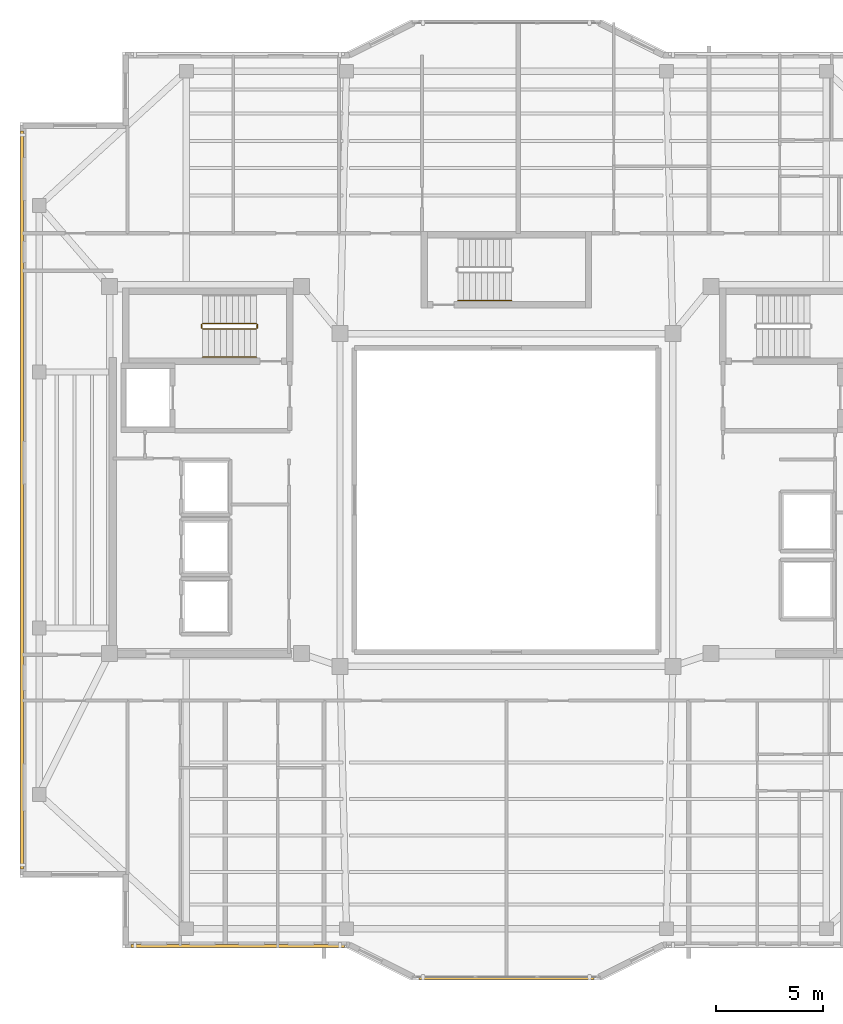
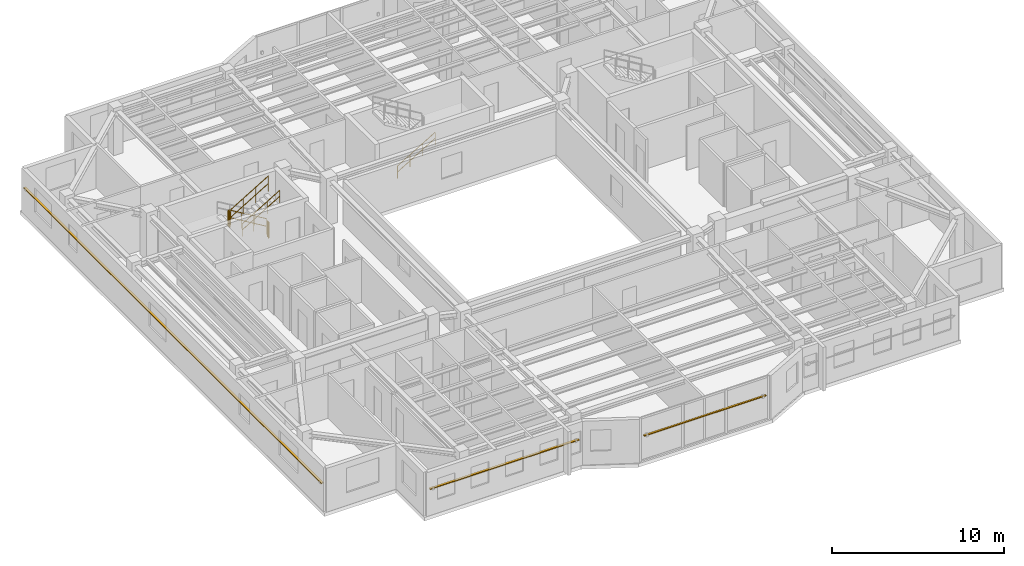
# One storey, part 12 of 14: 6 railings, 3 shading devices.
"""IFC4 building model written with IfcOpenShell, lengths in metres."""

from ifc_helpers import new_model, si_unit, direction, frame, origin, origin_2d, place, context, subcontext, project, spatial, rectangle, circle, extrude, material, material_profile, profile_set, type_object, element, save


model = new_model("IFC4")

# Units and contexts
model_context = context("Model", 3, precision=1e-05, world=origin(), true_north=direction((0.0, 1.0)))
body_context = subcontext(model_context, "Body", "Model", "MODEL_VIEW")
ifc_project = project(units=[si_unit("LENGTHUNIT", "METRE"), si_unit("AREAUNIT", "SQUARE_METRE"), si_unit("VOLUMEUNIT", "CUBIC_METRE"), si_unit("PLANEANGLEUNIT", "RADIAN"), si_unit("MASSUNIT", "GRAM", prefix="KILO")], contexts=[model_context])

# Site, building, storey
site_placement = place(None, origin())
site = spatial("IfcSite", under=ifc_project, at=site_placement, CompositionType="ELEMENT")
building_placement = place(site_placement, origin())
building = spatial("IfcBuilding", under=site, at=building_placement, Name="Tarnavaz Court Tower", CompositionType="ELEMENT")
storey_placement = place(building_placement, frame((0.0, 0.0, 258.25)))
storey = spatial("IfcBuildingStorey", under=building, at=storey_placement, Name="L70", CompositionType="ELEMENT", Elevation=258.25)

# Railings
ifc_material_1 = material(Name="Brushed Stainless Steel", Category="steel")
railing_type_1 = type_object("IfcRailingType", Name="RL-HANDRAIL-900", PredefinedType="HANDRAIL", material=ifc_material_1)
for number, where, name in (
    (1, (-14.239990234375, 6.699951171875, 1.842529296875), "L70 ST-W1 stair handrail 2"),
    (2, (-2.280029296875, 9.35009765625, 0.16748046875), "L70 ST-N1 stair handrail 1"),
):
    element("IfcRailing", number, at=place(storey_placement, frame(where)), inside=storey, type_object=railing_type_1, Name=name, PredefinedType="HANDRAIL", context=body_context, shape_type="SweptSolid", body=[
        extrude(circle(Radius=0.02392578125, at=origin_2d()), frame((0.0, 0.0, 0.8759765625), z_axis=(0.858159760407, 0.0, 0.513382728203), x_axis=(0.0, 1.0, 0.0)), (0.0, 0.0, 1.0), 2.9365234375),
        extrude(circle(Radius=0.02392578125, at=origin_2d()), frame((0.0, 0.0, 0.449951171875), z_axis=(0.858159760407, 0.0, 0.513382728203), x_axis=(0.0, 1.0, 0.0)), (0.0, 0.0, 1.0), 2.9365234375),
        extrude(circle(Radius=0.02099609375, at=origin_2d()), origin(), (0.0, 0.0, 1.0), 0.851806640625),
        extrude(circle(Radius=0.02099609375, at=origin_2d()), frame((0.840087890625, 0.0, 0.50244140625)), (0.0, 0.0, 1.0), 0.851806640625),
        extrude(circle(Radius=0.02099609375, at=origin_2d()), frame((1.679931640625, 0.0, 1.005126953125)), (0.0, 0.0, 1.0), 0.851806640625),
        extrude(circle(Radius=0.02099609375, at=origin_2d()), frame((2.52001953125, 0.0, 1.507568359375)), (0.0, 0.0, 1.0), 0.851806640625),
    ])
ifc_material_2 = material(Name="Galvanized Painted Tubular Steel", Category="steel")
railing_type_2 = type_object("IfcRailingType", Name="RL-STGUARD-1120", PredefinedType="GUARDRAIL", material=ifc_material_2)
railing_1_placement = place(storey_placement, frame((-11.719970703125, 8.27001953125, 0.16748046875)))
element("IfcRailing", 3, at=railing_1_placement, inside=storey, type_object=railing_type_2, Name="L70 ST-W1 stair guard 1", PredefinedType="GUARDRAIL", context=body_context, shape_type="SweptSolid", body=[
    extrude(circle(Radius=0.02392578125, at=origin_2d()), frame((0.0, 0.0, 1.09619140625), z_axis=(-0.858159760407, 0.0, 0.513382728203), x_axis=(0.0, -1.0, 0.0)), (0.0, 0.0, 1.0), 2.9365234375),
    extrude(circle(Radius=0.02392578125, at=origin_2d()), frame((0.0, 0.0, 0.56005859375), z_axis=(-0.858159760407, 0.0, 0.513382728203), x_axis=(0.0, -1.0, 0.0)), (0.0, 0.0, 1.0), 2.9365234375),
    extrude(circle(Radius=0.02099609375, at=origin_2d()), origin(), (0.0, 0.0, 1.0), 1.072021484375),
    extrude(circle(Radius=0.02099609375, at=origin_2d()), frame((-0.840087890625, 0.0, 0.50244140625)), (0.0, 0.0, 1.0), 1.072021484375),
    extrude(circle(Radius=0.02099609375, at=origin_2d()), frame((-1.679931640625, 0.0, 1.005126953125)), (0.0, 0.0, 1.0), 1.072021484375),
    extrude(circle(Radius=0.02099609375, at=origin_2d()), frame((-2.52001953125, 0.0, 1.507568359375)), (0.0, 0.0, 1.0), 1.072021484375),
])
railing_2_placement = place(storey_placement, frame((-14.2900390625, 8.219970703125, 1.675048828125)))
element("IfcRailing", 4, at=railing_2_placement, inside=storey, type_object=railing_type_2, Name="L70 ST-W1 stair guard 2", PredefinedType="GUARDRAIL", context=body_context, shape_type="SweptSolid", body=[
    extrude(circle(Radius=0.02392578125, at=origin_2d()), frame((0.0, 0.0, 1.09619140625), z_axis=(0.0, -1.0, 0.0), x_axis=(1.0, 0.0, 0.0)), (0.0, 0.0, 1.0), 0.14990234375),
    extrude(circle(Radius=0.02392578125, at=origin_2d()), frame((0.0, 0.0, 0.56005859375), z_axis=(0.0, -1.0, 0.0), x_axis=(1.0, 0.0, 0.0)), (0.0, 0.0, 1.0), 0.14990234375),
    extrude(circle(Radius=0.02099609375, at=origin_2d()), origin(), (0.0, 0.0, 1.0), 1.072021484375),
    extrude(circle(Radius=0.02099609375, at=origin_2d()), frame((0.0, -0.14990234375, 0.0)), (0.0, 0.0, 1.0), 1.072021484375),
])
railing_3_placement = place(storey_placement, frame((-14.239990234375, 8.02001953125, 1.842529296875)))
element("IfcRailing", 5, at=railing_3_placement, inside=storey, type_object=railing_type_2, Name="L70 ST-W1 stair guard 3", PredefinedType="GUARDRAIL", context=body_context, shape_type="SweptSolid", body=[
    extrude(circle(Radius=0.02392578125, at=origin_2d()), frame((0.0, 0.0, 1.09619140625), z_axis=(0.858159760407, 0.0, 0.513382728203), x_axis=(0.0, 1.0, 0.0)), (0.0, 0.0, 1.0), 2.9365234375),
    extrude(circle(Radius=0.02392578125, at=origin_2d()), frame((0.0, 0.0, 0.56005859375), z_axis=(0.858159760407, 0.0, 0.513382728203), x_axis=(0.0, 1.0, 0.0)), (0.0, 0.0, 1.0), 2.9365234375),
    extrude(circle(Radius=0.02099609375, at=origin_2d()), origin(), (0.0, 0.0, 1.0), 1.072021484375),
    extrude(circle(Radius=0.02099609375, at=origin_2d()), frame((0.840087890625, 0.0, 0.50244140625)), (0.0, 0.0, 1.0), 1.072021484375),
    extrude(circle(Radius=0.02099609375, at=origin_2d()), frame((1.679931640625, 0.0, 1.005126953125)), (0.0, 0.0, 1.0), 1.072021484375),
    extrude(circle(Radius=0.02099609375, at=origin_2d()), frame((2.52001953125, 0.0, 1.507568359375)), (0.0, 0.0, 1.0), 1.072021484375),
])
railing_4_placement = place(storey_placement, frame((-11.669921875, 8.219970703125, 0.0)))
element("IfcRailing", 6, at=railing_4_placement, inside=storey, type_object=railing_type_2, Name="L70 ST-W1 stair guard 4", PredefinedType="GUARDRAIL", context=body_context, shape_type="SweptSolid", body=[
    extrude(circle(Radius=0.02392578125, at=origin_2d()), frame((0.0, 0.0, 1.09619140625), z_axis=(0.0, -1.0, 0.0), x_axis=(1.0, 0.0, 0.0)), (0.0, 0.0, 1.0), 0.14990234375),
    extrude(circle(Radius=0.02392578125, at=origin_2d()), frame((0.0, 0.0, 0.56005859375), z_axis=(0.0, -1.0, 0.0), x_axis=(1.0, 0.0, 0.0)), (0.0, 0.0, 1.0), 0.14990234375),
    extrude(circle(Radius=0.02099609375, at=origin_2d()), origin(), (0.0, 0.0, 1.0), 1.072021484375),
    extrude(circle(Radius=0.02099609375, at=origin_2d()), frame((0.0, -0.14990234375, 0.0)), (0.0, 0.0, 1.0), 1.072021484375),
])

# Shading devices
ifc_material_3 = material(Name="Kiln-Fired Khorasan Terracotta Ceramic", Category="masonry")
ifc_material_profile_1 = material_profile(ifc_material_3, rectangle(XDim=0.1201171875, YDim=0.06005859375, at=origin_2d()), Name="TC BAGUETTE 120X60")
ifc_profile_set_1 = profile_set([ifc_material_profile_1], Name="Kiln-Fired Khorasan Terracotta Ceramic")
shading_device_type_1 = type_object("IfcShadingDeviceType", Name="SD-BAG-120", PredefinedType="USERDEFINED", material=ifc_profile_set_1)
shading_device_1_placement = place(storey_placement, frame((4.10009765625, -22.409912109375, 1.800048828125), z_axis=(-1.0, 0.0, 0.0), x_axis=(0.0, -1.0, 0.0)))
element("IfcShadingDevice", 7, at=shading_device_1_placement, inside=storey, type_object=shading_device_type_1, Name="L70 Terracotta Baguette Screen PBG17", ObjectType="BAGUETTE", PredefinedType="USERDEFINED", context=body_context, shape_type="SweptSolid", body=[
    extrude(rectangle(XDim=0.1201171875, YDim=0.06005859375, at=origin_2d()), origin(), (0.0, 0.0, 1.0), 8.2001953125),
])
ifc_material_profile_2 = material_profile(ifc_material_3, rectangle(XDim=0.14990234375, YDim=0.06494140625, at=origin_2d()), Name="TC BAGUETTE 150X65")
ifc_profile_set_2 = profile_set([ifc_material_profile_2], Name="Kiln-Fired Khorasan Terracotta Ceramic")
shading_device_type_2 = type_object("IfcShadingDeviceType", Name="SD-BAG-150", PredefinedType="USERDEFINED", material=ifc_profile_set_2)
shading_device_2_placement = place(storey_placement, frame((-22.7099609375, -17.300048828125, 1.85009765625), z_axis=(0.0, 1.0, 0.0), x_axis=(-1.0, 0.0, 0.0)))
element("IfcShadingDevice", 8, at=shading_device_2_placement, inside=storey, type_object=shading_device_type_2, Name="L70 Terracotta Baguette Screen FBG02", ObjectType="BAGUETTE", PredefinedType="USERDEFINED", context=body_context, shape_type="SweptSolid", body=[
    extrude(rectangle(XDim=0.14990234375, YDim=0.06494140625, at=origin_2d()), origin(), (0.0, 0.0, 1.0), 34.60009765625),
])
shading_device_3_placement = place(storey_placement, frame((-7.60009765625, -20.909912109375, 1.85009765625), z_axis=(-1.0, 0.0, 0.0), x_axis=(0.0, -1.0, 0.0)))
element("IfcShadingDevice", 9, at=shading_device_3_placement, inside=storey, type_object=shading_device_type_2, Name="L70 Terracotta Baguette Screen FBG19", ObjectType="BAGUETTE", PredefinedType="USERDEFINED", context=body_context, shape_type="SweptSolid", body=[
    extrude(rectangle(XDim=0.14990234375, YDim=0.06494140625, at=origin_2d()), origin(), (0.0, 0.0, 1.0), 10.0),
])

save(model, "model.ifc")
